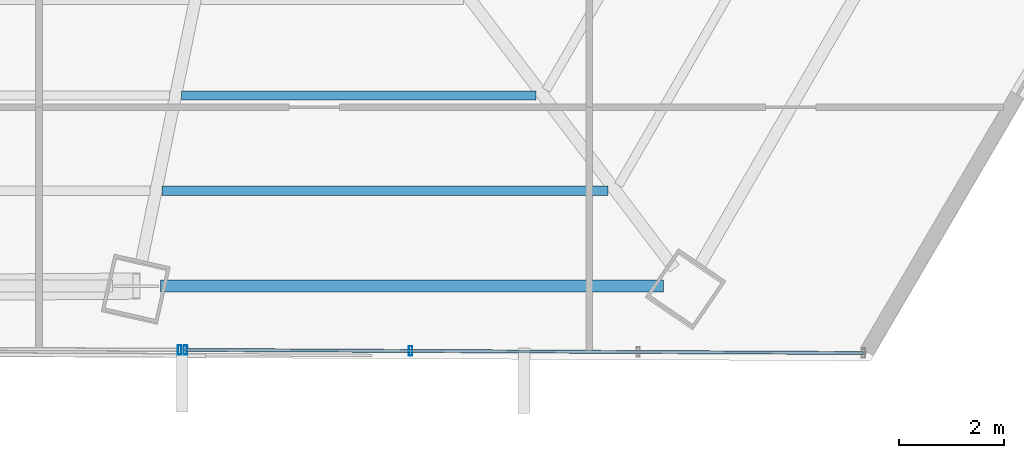
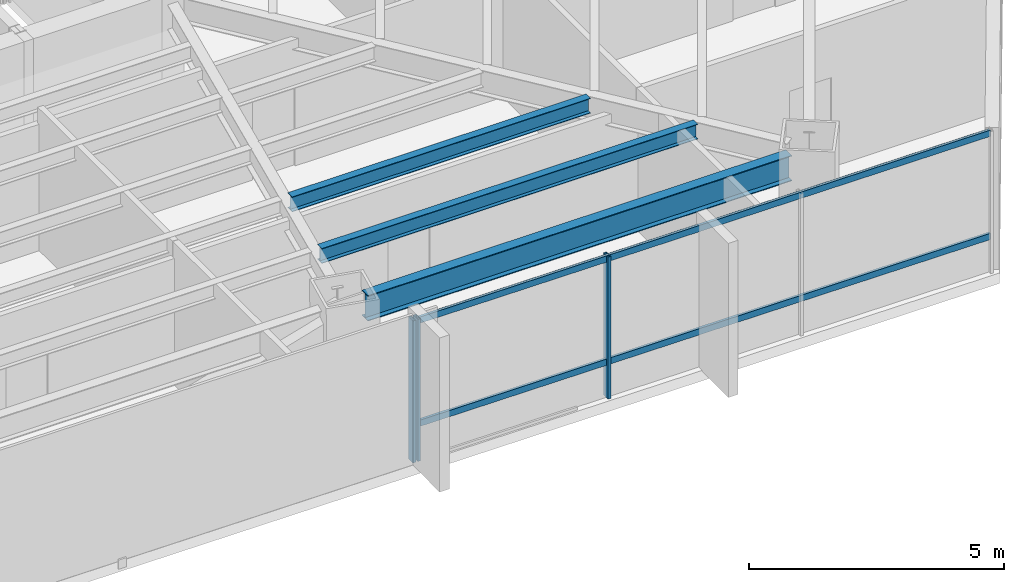
# One storey, part 14 of 35: 5 members, 3 beams, 2 elements without a shape of their own.
"""IFC4 building model written with IfcOpenShell, lengths in metres."""

from ifc_helpers import new_model, si_unit, direction, frame, origin, origin_2d, place, context, subcontext, project, spatial, hollow_rectangle, i_section, extrude, source, transform, mapped, material, material_profile, profile_set, type_object, type_shapes, element, aggregate, save


model = new_model("IFC4")

# Units and contexts
model_context = context("Model", 3, precision=1e-05, world=origin(), true_north=direction((0.0, 1.0)))
body_context = subcontext(model_context, "Body", "Model", "MODEL_VIEW")
ifc_project = project(units=[si_unit("LENGTHUNIT", "METRE"), si_unit("AREAUNIT", "SQUARE_METRE"), si_unit("VOLUMEUNIT", "CUBIC_METRE"), si_unit("PLANEANGLEUNIT", "RADIAN"), si_unit("MASSUNIT", "GRAM", prefix="KILO")], contexts=[model_context])

# Site, building, storey
site_placement = place(None, origin())
site = spatial("IfcSite", under=ifc_project, at=site_placement, CompositionType="ELEMENT")
building_placement = place(site_placement, origin())
building = spatial("IfcBuilding", under=site, at=building_placement, Name="Caelisora Broadcast Tower", CompositionType="ELEMENT")
storey_placement = place(building_placement, frame((0.0, 0.0, 109.050048828125)))
storey = spatial("IfcBuildingStorey", under=building, at=storey_placement, Name="L28", CompositionType="ELEMENT", Elevation=109.050048828125)

# Beams
ifc_material_1 = material(Name="Steel Grade 350 (AS/NZS 3679.1)", Category="steel")
ifc_material_profile_1 = material_profile(ifc_material_1, i_section(OverallWidth=0.22900390625, OverallDepth=0.611572265625, WebThickness=0.011962890625, FlangeThickness=0.01953125, at=origin_2d()), Name="Steel Grade 350 (AS/NZS 3679.1)")
ifc_profile_set_1 = profile_set([ifc_material_profile_1], Name="Steel Grade 350 (AS/NZS 3679.1)")
beam_type_1 = type_object("IfcBeamType", Name="PG03", PredefinedType="BEAM", material=ifc_profile_set_1)
shared_shape_1 = source(origin(), body_context, "Body", "SweptSolid", [
    extrude(i_section(OverallWidth=0.22900390625, OverallDepth=0.611572265625, WebThickness=0.011962890625, FlangeThickness=0.01953125, at=origin_2d()), origin(), (0.0, 0.0, 1.0), 9.59912109375),
])
type_shapes(beam_type_1, [shared_shape_1])
beam_1_placement = place(storey_placement, frame((43.719482421875, 6.485595703125, 3.09423828125), z_axis=(1.0, 0.0, 0.0), x_axis=(0.0, 1.0, 0.0)))
element("IfcBeam", 1, at=beam_1_placement, inside=storey, type_object=beam_type_1, Name="L28 beam PG03", PredefinedType="BEAM", context=body_context, shape_type="MappedRepresentation", body=[
    mapped(shared_shape_1, transform((0.0, 0.0, 0.0), scale=1.0)),
])
ifc_material_profile_2 = material_profile(ifc_material_1, i_section(OverallWidth=0.172119140625, OverallDepth=0.358642578125, WebThickness=0.008056640625, FlangeThickness=0.012939453125, at=origin_2d()), Name="Steel Grade 350 (AS/NZS 3679.1)")
ifc_profile_set_2 = profile_set([ifc_material_profile_2], Name="Steel Grade 350 (AS/NZS 3679.1)")
beam_type_2 = type_object("IfcBeamType", Name="SB02", PredefinedType="JOIST", material=ifc_profile_set_2)
shared_shape_2 = source(origin(), body_context, "Body", "SweptSolid", [
    extrude(i_section(OverallWidth=0.172119140625, OverallDepth=0.358642578125, WebThickness=0.008056640625, FlangeThickness=0.012939453125, at=origin_2d()), origin(), (0.0, 0.0, 1.0), 6.75927734375),
])
beam_2_placement = place(storey_placement, frame((44.11962890625, 10.123779296875, 3.220703125), z_axis=(1.0, 0.0, 0.0), x_axis=(0.0, 1.0, 0.0)))
element("IfcBeam", 2, at=beam_2_placement, inside=storey, type_object=beam_type_2, Name="L28 beam SB02", PredefinedType="JOIST", context=body_context, shape_type="MappedRepresentation", body=[
    mapped(shared_shape_2, transform((0.0, 0.0, 0.0), scale=1.0)),
])
shared_shape_3 = source(origin(), body_context, "Body", "SweptSolid", [
    extrude(i_section(OverallWidth=0.172119140625, OverallDepth=0.358642578125, WebThickness=0.008056640625, FlangeThickness=0.012939453125, at=origin_2d()), origin(), (0.0, 0.0, 1.0), 8.512451171875),
])
type_shapes(beam_type_2, [shared_shape_2, shared_shape_3])
beam_3_placement = place(storey_placement, frame((43.746337890625, 8.3046875, 3.220703125), z_axis=(1.0, 0.0, 0.0), x_axis=(0.0, 1.0, 0.0)))
element("IfcBeam", 3, at=beam_3_placement, inside=storey, type_object=beam_type_2, Name="L28 beam SB02", PredefinedType="JOIST", context=body_context, shape_type="MappedRepresentation", body=[
    mapped(shared_shape_3, transform((0.0, 0.0, 0.0), scale=1.0)),
])

# Curtain wall, members
ifc_material_2 = material(Name="Unitised Aluminium and Low-E Glass Curtain Wall", Category="glass")
curtain_wall_type_1 = type_object("IfcCurtainWallType", Name="CW-Z2", PredefinedType="NOTDEFINED", material=ifc_material_2)
curtain_wall_1_placement = place(storey_placement, origin())
curtain_wall_1 = element("IfcCurtainWall", 4, at=curtain_wall_1_placement, inside=storey, type_object=curtain_wall_type_1, Name="L28 curtain wall CW-Z2", PredefinedType="NOTDEFINED")
ifc_material_3 = material(Name="Aluminium 6063-T6 Anodised Terracotta Bronze", Category="aluminium")
ifc_material_profile_3 = material_profile(ifc_material_3, hollow_rectangle(XDim=0.06494140625, YDim=0.179931640625, WallThickness=0.00341796875, at=origin_2d()), Name="Aluminium 6063-T6 Anodised Terracotta Bronze")
ifc_profile_set_3 = profile_set([ifc_material_profile_3], Name="Aluminium 6063-T6 Anodised Terracotta Bronze")
member_type_1 = type_object("IfcMemberType", Name="CWM-02", PredefinedType="MULLION", material=ifc_profile_set_3)
shared_shape_4 = source(origin(), body_context, "Body", "SweptSolid", [
    extrude(hollow_rectangle(XDim=0.06494140625, YDim=0.179931640625, WallThickness=0.00341796875, at=origin_2d()), origin(), (0.0, 0.0, 1.0), 3.39990234375),
])
type_shapes(member_type_1, [shared_shape_4])
member_1_placement = place(storey_placement, frame((48.489013671875, 5.248046875, 0.0), z_axis=(0.0, 0.0, 1.0), x_axis=(1.0, 0.0, 0.0)))
member_1 = element("IfcMember", 5, at=member_1_placement, type_object=member_type_1, Name="L28-CW-B05 mullion #2", PredefinedType="MULLION", context=body_context, shape_type="MappedRepresentation", body=[
    mapped(shared_shape_4, transform((0.0, 0.0, 0.0), scale=1.0)),
])
member_2_placement = place(storey_placement, frame((44.19287109375, 5.267822265625, 0.0), z_axis=(0.0, 0.0, 1.0), x_axis=(1.0, 0.0, 0.0)))
member_2 = element("IfcMember", 6, at=member_2_placement, type_object=member_type_1, Name="L28-CW-B05 mullion #3", PredefinedType="MULLION", context=body_context, shape_type="MappedRepresentation", body=[
    mapped(shared_shape_4, transform((0.0, 0.0, 0.0), scale=1.0)),
])

# Curtain wall, member
ifc_material_4 = material(Name="Unitised Aluminium Insulated Shadow-Box Spandrel Curtain Wall", Category="aluminium")
curtain_wall_type_2 = type_object("IfcCurtainWallType", Name="CW-SP1", PredefinedType="NOTDEFINED", material=ifc_material_4)
curtain_wall_2_placement = place(storey_placement, origin())
curtain_wall_2 = element("IfcCurtainWall", 7, at=curtain_wall_2_placement, inside=storey, type_object=curtain_wall_type_2, Name="L28 curtain wall CW-SP1", PredefinedType="NOTDEFINED")
member_3_placement = place(storey_placement, frame((44.082763671875, 5.268310546875, 0.0), z_axis=(0.0, 0.0, 1.0), x_axis=(1.0, 0.0, 0.0)))
member_3 = element("IfcMember", 8, at=member_3_placement, type_object=member_type_1, Name="L28-CW-B06 mullion #0", PredefinedType="MULLION", context=body_context, shape_type="MappedRepresentation", body=[
    mapped(shared_shape_4, transform((0.0, 0.0, 0.0), scale=1.0)),
])
aggregate(curtain_wall_2, [member_3])

# Member
ifc_material_profile_4 = material_profile(ifc_material_3, hollow_rectangle(XDim=0.06005859375, YDim=0.14990234375, WallThickness=0.00341796875, at=origin_2d()), Name="Aluminium 6063-T6 Anodised Terracotta Bronze")
ifc_profile_set_4 = profile_set([ifc_material_profile_4], Name="Aluminium 6063-T6 Anodised Terracotta Bronze")
member_type_2 = type_object("IfcMemberType", Name="CWT-02", PredefinedType="USERDEFINED", material=ifc_profile_set_4)
shared_shape_5 = source(origin(), body_context, "Body", "SweptSolid", [
    extrude(hollow_rectangle(XDim=0.06005859375, YDim=0.14990234375, WallThickness=0.00341796875, at=origin_2d()), origin(), (0.0, 0.0, 1.0), 12.9384765625),
])
type_shapes(member_type_2, [shared_shape_5])
member_4_placement = place(storey_placement, frame((57.131103515625, 5.208251953125, 0.849853515625), z_axis=(-0.999989400803, 0.004604159143, 0.0), x_axis=(-0.004604159143, -0.999989400803, 0.0)))
member_4 = element("IfcMember", 9, at=member_4_placement, type_object=member_type_2, Name="L28-CW-B05 transom #1", ObjectType="TRANSOM", PredefinedType="USERDEFINED", context=body_context, shape_type="MappedRepresentation", body=[
    mapped(shared_shape_5, transform((0.0, 0.0, 0.0), scale=1.0)),
])

member_5_placement = place(storey_placement, frame((57.131103515625, 5.208251953125, 3.320068359375), z_axis=(-0.999989400803, 0.004604159143, 0.0), x_axis=(-0.004604159143, -0.999989400803, 0.0)))
member_5 = element("IfcMember", 10, at=member_5_placement, type_object=member_type_2, Name="L28-CW-B05 transom #2", ObjectType="TRANSOM", PredefinedType="USERDEFINED", context=body_context, shape_type="MappedRepresentation", body=[
    mapped(shared_shape_5, transform((0.0, 0.0, 0.0), scale=1.0)),
])

aggregate(curtain_wall_1, [member_1, member_2, member_4, member_5])

save(model, "model.ifc")
